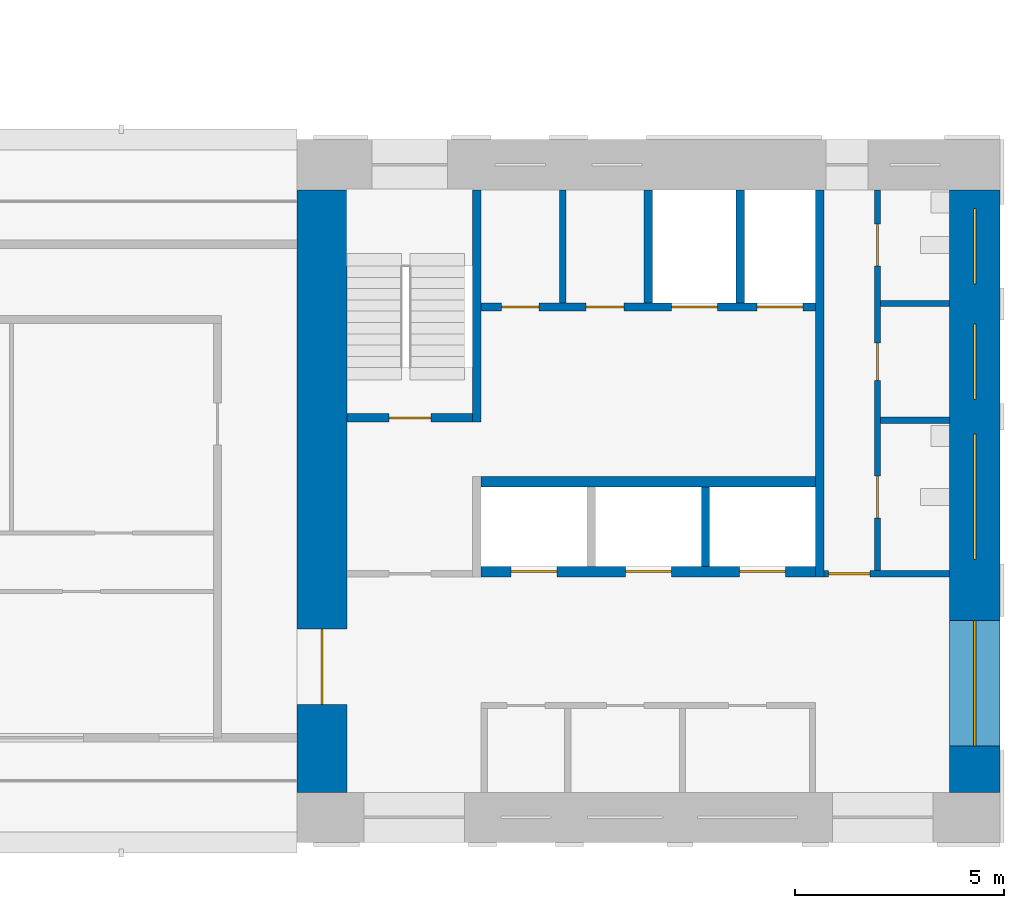
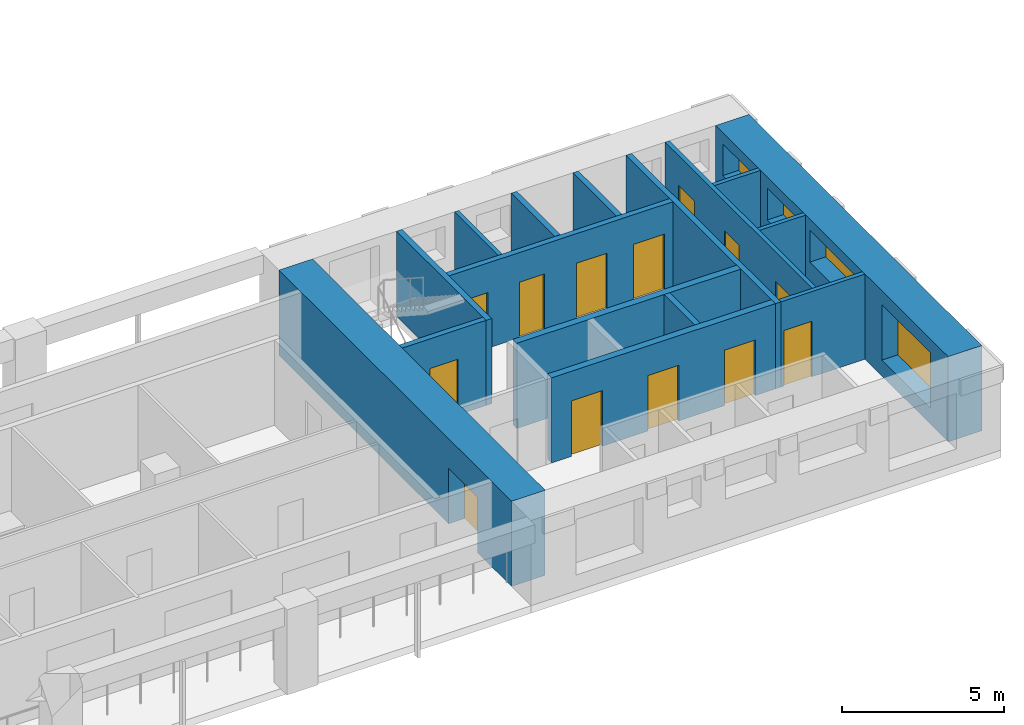
# One storey, part 4 of 9: 16 walls, 13 doors, 4 windows, 17 openings.
"""IFC4 building model written with IfcOpenShell, lengths in metres."""

from ifc_helpers import new_model, si_unit, direction, frame, frame_2d, origin, place, context, subcontext, project, spatial, rectangle, extrude, material, layer, layer_set, type_object, element, fill, save


model = new_model("IFC4")

# Units and contexts
model_context = context("Model", 3, precision=1e-05, world=origin(), true_north=direction((0.0, 1.0)))
body_context = subcontext(model_context, "Body", "Model", "MODEL_VIEW")
ifc_project = project(units=[si_unit("LENGTHUNIT", "METRE"), si_unit("AREAUNIT", "SQUARE_METRE"), si_unit("VOLUMEUNIT", "CUBIC_METRE"), si_unit("PLANEANGLEUNIT", "RADIAN"), si_unit("MASSUNIT", "GRAM", prefix="KILO")], contexts=[model_context])

# Site, building, storey
site_placement = place(None, origin())
site = spatial("IfcSite", under=ifc_project, at=site_placement, CompositionType="ELEMENT")
building_placement = place(site_placement, origin())
building = spatial("IfcBuilding", under=site, at=building_placement, Name="Vermilion Gate Residences", CompositionType="ELEMENT")
storey_placement = place(building_placement, frame((0.0, 0.0, 228.199951171875)))
storey = spatial("IfcBuildingStorey", under=building, at=storey_placement, Name="L59", CompositionType="ELEMENT", Elevation=228.199951171875)

# Wall
ifc_material_1 = material(Name="Masonry blockwork", Category="masonry")
ifc_layer_1 = layer(ifc_material_1, 0.14990234375)
ifc_layer_set_1 = layer_set([ifc_layer_1], Name="BLOCKWORK PARTITION 150 EI 120")
wall_type_1 = type_object("IfcWallType", Name="BLOCKWORK PARTITION 150 EI 120", PredefinedType="PARTITIONING", material=ifc_layer_set_1)
wall_1_placement = place(storey_placement, frame((48.35009765625, 21.300048828125, 0.0), z_axis=(0.0, 0.0, 1.0), x_axis=(0.0, 1.0, 0.0)))
element("IfcWall", 1, at=wall_1_placement, inside=storey, type_object=wall_type_1, Name="Core room partition A59-NR-P0", PredefinedType="PARTITIONING", context=body_context, shape_type="SweptSolid", body=[
    extrude(rectangle(XDim=2.699951171875, YDim=0.14990234375, at=frame_2d((1.35009765625, 0.0))), origin(), (0.0, 0.0, 1.0), 3.219970703125),
])

# Wall, opening, door
wall_2_placement = place(storey_placement, frame((54.60009765625, 14.824951171875, 0.0), z_axis=(0.0, 0.0, 1.0), x_axis=(1.0, 0.0, 0.0)))
wall_2 = element("IfcWall", 2, at=wall_2_placement, inside=storey, type_object=wall_type_1, Name="Core room partition A59-ES-S", PredefinedType="PARTITIONING", context=body_context, shape_type="SweptSolid", body=[
    extrude(rectangle(XDim=3.0, YDim=0.14990234375, at=frame_2d((1.5, 0.0))), origin(), (0.0, 0.0, 1.0), 3.219970703125),
])
opening_1_placement = place(wall_2_placement, frame((0.10009765625, 0.0, 0.0)))
opening_1 = element("IfcOpeningElement", 3, at=opening_1_placement, cuts=wall_2, Name="Opening DK59014", PredefinedType="OPENING", context=body_context, shape_type="SweptSolid", body=[
    extrude(rectangle(XDim=1.0, YDim=2.10009765625, at=frame_2d((0.5, 1.050048828125))), frame((0.0, 0.0849609375, 0.0), z_axis=(0.0, -1.0, 0.0), x_axis=(1.0, 0.0, 0.0)), (0.0, 0.0, 1.0), 0.169921875),
])
ifc_material_2 = material(Name="Steel", Category="steel")
door_type_1 = type_object("IfcDoorType", Name="FIRE DOOR FD60 1000 X 2100", OperationType="SINGLE_SWING_LEFT", PredefinedType="DOOR", material=ifc_material_2)
door_1_placement = place(opening_1_placement, frame((1.0, 0.0, 0.0), z_axis=(0.0, 0.0, 1.0), x_axis=(-1.0, 0.0, 0.0)))
door_1 = element("IfcDoor", 4, at=door_1_placement, inside=storey, type_object=door_type_1, Name="Service corridor door A59", OperationType="SINGLE_SWING_LEFT", OverallHeight=2.10009765625, OverallWidth=1.0, PredefinedType="DOOR", context=body_context, shape_type="SweptSolid", body=[
    extrude(rectangle(XDim=1.0, YDim=2.10009765625, at=frame_2d((0.5, 1.050048828125))), frame((0.0, 0.02490234375, 0.0), z_axis=(0.0, -1.0, 0.0), x_axis=(1.0, 0.0, 0.0)), (0.0, 0.0, 1.0), 0.050048828125),
])
fill(opening_1, door_1)

# Walls
for number, where, z_axis, x_axis, name in (
    (5, (55.949951171875, 18.4951171875, 0.0), (0.0, 0.0, 1.0), (1.0, 0.0, 0.0), "Core room partition A59-ES-P0"),
    (6, (55.949951171875, 21.284912109375, 0.0), (0.0, 0.0, 1.0), (1.0, 0.0, 0.0), "Core room partition A59-ES-P1"),
):
    element("IfcWall", number, at=place(storey_placement, frame(where, z_axis=z_axis, x_axis=x_axis)), inside=storey, type_object=wall_type_1, Name=name, PredefinedType="PARTITIONING", context=body_context, shape_type="SweptSolid", body=[
        extrude(rectangle(XDim=1.650146484375, YDim=0.14990234375, at=frame_2d((0.8251953125, 0.0))), origin(), (0.0, 0.0, 1.0), 3.219970703125),
    ])

# Wall, openings, doors
wall_3_placement = place(storey_placement, frame((55.875, 14.89990234375, 0.0), z_axis=(0.0, 0.0, 1.0), x_axis=(0.0, 1.0, 0.0)))
wall_3 = element("IfcWall", 7, at=wall_3_placement, inside=storey, type_object=wall_type_1, Name="Core room partition A59-ES-W", PredefinedType="PARTITIONING", context=body_context, shape_type="SweptSolid", body=[
    extrude(rectangle(XDim=9.10009765625, YDim=0.14990234375, at=frame_2d((4.550048828125, 0.0))), origin(), (0.0, 0.0, 1.0), 3.219970703125),
])
opening_2_placement = place(wall_3_placement, frame((1.260009765625, 0.0, 0.0)))
opening_2 = element("IfcOpeningElement", 8, at=opening_2_placement, cuts=wall_3, Name="Opening DK59015", PredefinedType="OPENING", context=body_context, shape_type="SweptSolid", body=[
    extrude(rectangle(XDim=1.0, YDim=2.10009765625, at=frame_2d((0.5, 1.050048828125))), frame((0.0, 0.0849609375, 0.0), z_axis=(0.0, -1.0, 0.0), x_axis=(1.0, 0.0, 0.0)), (0.0, 0.0, 1.0), 0.169921875),
])
opening_3_placement = place(wall_3_placement, frame((4.5400390625, 0.0, 0.0)))
opening_3 = element("IfcOpeningElement", 9, at=opening_3_placement, cuts=wall_3, Name="Opening DK59016", PredefinedType="OPENING", context=body_context, shape_type="SweptSolid", body=[
    extrude(rectangle(XDim=0.89990234375, YDim=2.10009765625, at=frame_2d((0.449951171875, 1.050048828125))), frame((0.0, 0.0849609375, 0.0), z_axis=(0.0, -1.0, 0.0), x_axis=(1.0, 0.0, 0.0)), (0.0, 0.0, 1.0), 0.169921875),
])
opening_4_placement = place(wall_3_placement, frame((7.280029296875, 0.0, 0.0)))
opening_4 = element("IfcOpeningElement", 10, at=opening_4_placement, cuts=wall_3, Name="Opening DK59017", PredefinedType="OPENING", context=body_context, shape_type="SweptSolid", body=[
    extrude(rectangle(XDim=1.0, YDim=2.10009765625, at=frame_2d((0.5, 1.050048828125))), frame((0.0, 0.0849609375, 0.0), z_axis=(0.0, -1.0, 0.0), x_axis=(1.0, 0.0, 0.0)), (0.0, 0.0, 1.0), 0.169921875),
])
door_2_placement = place(opening_2_placement, frame((1.0, 0.0, 0.0), z_axis=(0.0, 0.0, 1.0), x_axis=(-1.0, 0.0, 0.0)))
door_2 = element("IfcDoor", 11, at=door_2_placement, inside=storey, type_object=door_type_1, Name="Accessible WC A59", OperationType="SINGLE_SWING_RIGHT", OverallHeight=2.10009765625, OverallWidth=1.0, PredefinedType="DOOR", context=body_context, shape_type="SweptSolid", body=[
    extrude(rectangle(XDim=1.0, YDim=2.10009765625, at=frame_2d((0.5, 1.050048828125))), frame((0.0, 0.02490234375, 0.0), z_axis=(0.0, -1.0, 0.0), x_axis=(1.0, 0.0, 0.0)), (0.0, 0.0, 1.0), 0.050048828125),
])
fill(opening_2, door_2)
door_3_placement = place(opening_4_placement, frame((1.0, 0.0, 0.0), z_axis=(0.0, 0.0, 1.0), x_axis=(-1.0, 0.0, 0.0)))
door_3 = element("IfcDoor", 12, at=door_3_placement, inside=storey, type_object=door_type_1, Name="Accessible WC A59", OperationType="SINGLE_SWING_RIGHT", OverallHeight=2.10009765625, OverallWidth=1.0, PredefinedType="DOOR", context=body_context, shape_type="SweptSolid", body=[
    extrude(rectangle(XDim=1.0, YDim=2.10009765625, at=frame_2d((0.5, 1.050048828125))), frame((0.0, 0.02490234375, 0.0), z_axis=(0.0, -1.0, 0.0), x_axis=(1.0, 0.0, 0.0)), (0.0, 0.0, 1.0), 0.050048828125),
])
fill(opening_4, door_3)
ifc_material_3 = material(Name="Steel", Category="steel")
door_type_2 = type_object("IfcDoorType", Name="SERVICE ROOM DOOR FD60 900 X 2100", OperationType="SINGLE_SWING_LEFT", PredefinedType="DOOR", material=ifc_material_3)
door_4_placement = place(opening_3_placement, frame((0.89990234375, 0.0, 0.0), z_axis=(0.0, 0.0, 1.0), x_axis=(-1.0, 0.0, 0.0)))
door_4 = element("IfcDoor", 13, at=door_4_placement, inside=storey, type_object=door_type_2, Name="Communications room A59", OperationType="SINGLE_SWING_RIGHT", OverallHeight=2.10009765625, OverallWidth=0.89990234375, PredefinedType="DOOR", context=body_context, shape_type="SweptSolid", body=[
    extrude(rectangle(XDim=0.89990234375, YDim=2.10009765625, at=frame_2d((0.449951171875, 1.050048828125))), frame((0.0, 0.02490234375, 0.0), z_axis=(0.0, -1.0, 0.0), x_axis=(1.0, 0.0, 0.0)), (0.0, 0.0, 1.0), 0.050048828125),
])
fill(opening_3, door_4)

# Walls
ifc_material_4 = material(Name="Concrete C60", Category="concrete")
ifc_layer_2 = layer(ifc_material_4, 0.199951171875)
ifc_layer_set_2 = layer_set([ifc_layer_2], Name="RC CORE INTERNAL WALL 200 C60")
wall_type_2 = type_object("IfcWallType", Name="RC CORE INTERNAL WALL 200 C60", PredefinedType="SHEAR", material=ifc_layer_set_2)
wall_4_placement = place(storey_placement, frame((51.7666015625, 15.0, 0.0), z_axis=(0.0, 0.0, 1.0), x_axis=(0.0, 1.0, 0.0)))
element("IfcWall", 14, at=wall_4_placement, inside=storey, type_object=wall_type_2, Name="Core internal wall A59-HR-D2", PredefinedType="SHEAR", context=body_context, shape_type="SweptSolid", body=[
    extrude(rectangle(XDim=1.89990234375, YDim=0.199951171875, at=frame_2d((0.949951171875, 0.0))), origin(), (0.0, 0.0, 1.0), 3.219970703125),
])
for number, where, z_axis, x_axis, name in (
    (15, (50.39990234375, 21.300048828125, 0.0), (0.0, 0.0, 1.0), (0.0, 1.0, 0.0), "Core internal wall A59-FF-D0"),
    (16, (52.60009765625, 21.300048828125, 0.0), (0.0, 0.0, 1.0), (0.0, 1.0, 0.0), "Core internal wall A59-FF-D1"),
):
    element("IfcWall", number, at=place(storey_placement, frame(where, z_axis=z_axis, x_axis=x_axis)), inside=storey, type_object=wall_type_2, Name=name, PredefinedType="SHEAR", context=body_context, shape_type="SweptSolid", body=[
        extrude(rectangle(XDim=2.699951171875, YDim=0.199951171875, at=frame_2d((1.35009765625, 0.0))), origin(), (0.0, 0.0, 1.0), 3.219970703125),
    ])

# Wall, openings, doors
wall_5_placement = place(storey_placement, frame((46.39990234375, 21.199951171875, 0.0), z_axis=(0.0, 0.0, 1.0), x_axis=(1.0, 0.0, 0.0)))
wall_5 = element("IfcWall", 17, at=wall_5_placement, inside=storey, type_object=wall_type_2, Name="Core internal wall A59-FF-F", PredefinedType="SHEAR", context=body_context, shape_type="SweptSolid", body=[
    extrude(rectangle(XDim=8.0, YDim=0.199951171875, at=frame_2d((4.0, 0.0))), origin(), (0.0, 0.0, 1.0), 3.219970703125),
])
opening_5_placement = place(wall_5_placement, frame((0.487548828125, 0.0, 0.0)))
opening_5 = element("IfcOpeningElement", 18, at=opening_5_placement, cuts=wall_5, Name="Opening DK59008", PredefinedType="OPENING", context=body_context, shape_type="SweptSolid", body=[
    extrude(rectangle(XDim=0.89990234375, YDim=2.10009765625, at=frame_2d((0.449951171875, 1.050048828125))), frame((0.0, 0.10986328125, 0.0), z_axis=(0.0, -1.0, 0.0), x_axis=(1.0, 0.0, 0.0)), (0.0, 0.0, 1.0), 0.219970703125),
])
opening_6_placement = place(wall_5_placement, frame((2.512451171875, 0.0, 0.0)))
opening_6 = element("IfcOpeningElement", 19, at=opening_6_placement, cuts=wall_5, Name="Opening DK59009", PredefinedType="OPENING", context=body_context, shape_type="SweptSolid", body=[
    extrude(rectangle(XDim=0.89990234375, YDim=2.10009765625, at=frame_2d((0.449951171875, 1.050048828125))), frame((0.0, 0.10986328125, 0.0), z_axis=(0.0, -1.0, 0.0), x_axis=(1.0, 0.0, 0.0)), (0.0, 0.0, 1.0), 0.219970703125),
])
opening_7_placement = place(wall_5_placement, frame((4.550048828125, 0.0, 0.0)))
opening_7 = element("IfcOpeningElement", 20, at=opening_7_placement, cuts=wall_5, Name="Opening LD", PredefinedType="OPENING", context=body_context, shape_type="SweptSolid", body=[
    extrude(rectangle(XDim=1.10009765625, YDim=2.10009765625, at=frame_2d((0.550048828125, 1.050048828125))), frame((0.0, 0.10986328125, 0.0), z_axis=(0.0, -1.0, 0.0), x_axis=(1.0, 0.0, 0.0)), (0.0, 0.0, 1.0), 0.219970703125),
])
opening_8_placement = place(wall_5_placement, frame((6.60009765625, 0.0, 0.0)))
opening_8 = element("IfcOpeningElement", 21, at=opening_8_placement, cuts=wall_5, Name="Opening LD", PredefinedType="OPENING", context=body_context, shape_type="SweptSolid", body=[
    extrude(rectangle(XDim=1.10009765625, YDim=2.10009765625, at=frame_2d((0.550048828125, 1.050048828125))), frame((0.0, 0.10986328125, 0.0), z_axis=(0.0, -1.0, 0.0), x_axis=(1.0, 0.0, 0.0)), (0.0, 0.0, 1.0), 0.219970703125),
])
ifc_material_5 = material(Name="Stainless steel", Category="steel")
door_type_3 = type_object("IfcDoorType", Name="LIFT LANDING DOOR E60 1100 X 2100", OperationType="DOUBLE_DOOR_SLIDING", PredefinedType="DOOR", material=ifc_material_5)
door_5_placement = place(opening_7_placement, origin())
door_5 = element("IfcDoor", 22, at=door_5_placement, inside=storey, type_object=door_type_3, Name="Lift landing door LFA1", OperationType="DOUBLE_DOOR_SLIDING", OverallHeight=2.10009765625, OverallWidth=1.10009765625, PredefinedType="DOOR", context=body_context, shape_type="SweptSolid", body=[
    extrude(rectangle(XDim=1.10009765625, YDim=2.10009765625, at=frame_2d((0.550048828125, 1.050048828125))), frame((0.0, 0.02490234375, 0.0), z_axis=(0.0, -1.0, 0.0), x_axis=(1.0, 0.0, 0.0)), (0.0, 0.0, 1.0), 0.050048828125),
])
fill(opening_7, door_5)
door_6_placement = place(opening_8_placement, origin())
door_6 = element("IfcDoor", 23, at=door_6_placement, inside=storey, type_object=door_type_3, Name="Lift landing door LCA1", OperationType="DOUBLE_DOOR_SLIDING", OverallHeight=2.10009765625, OverallWidth=1.10009765625, PredefinedType="DOOR", context=body_context, shape_type="SweptSolid", body=[
    extrude(rectangle(XDim=1.10009765625, YDim=2.10009765625, at=frame_2d((0.550048828125, 1.050048828125))), frame((0.0, 0.02490234375, 0.0), z_axis=(0.0, -1.0, 0.0), x_axis=(1.0, 0.0, 0.0)), (0.0, 0.0, 1.0), 0.050048828125),
])
fill(opening_8, door_6)
door_7_placement = place(opening_5_placement, origin())
door_7 = element("IfcDoor", 24, at=door_7_placement, inside=storey, type_object=door_type_2, Name="Housekeeping store A59", OperationType="SINGLE_SWING_LEFT", OverallHeight=2.10009765625, OverallWidth=0.89990234375, PredefinedType="DOOR", context=body_context, shape_type="SweptSolid", body=[
    extrude(rectangle(XDim=0.89990234375, YDim=2.10009765625, at=frame_2d((0.449951171875, 1.050048828125))), frame((0.0, 0.02490234375, 0.0), z_axis=(0.0, -1.0, 0.0), x_axis=(1.0, 0.0, 0.0)), (0.0, 0.0, 1.0), 0.050048828125),
])
fill(opening_5, door_7)
door_8_placement = place(opening_6_placement, origin())
door_8 = element("IfcDoor", 25, at=door_8_placement, inside=storey, type_object=door_type_2, Name="Mail room A59", OperationType="SINGLE_SWING_LEFT", OverallHeight=2.10009765625, OverallWidth=0.89990234375, PredefinedType="DOOR", context=body_context, shape_type="SweptSolid", body=[
    extrude(rectangle(XDim=0.89990234375, YDim=2.10009765625, at=frame_2d((0.449951171875, 1.050048828125))), frame((0.0, 0.02490234375, 0.0), z_axis=(0.0, -1.0, 0.0), x_axis=(1.0, 0.0, 0.0)), (0.0, 0.0, 1.0), 0.050048828125),
])
fill(opening_6, door_8)

# Wall
wall_6_placement = place(storey_placement, frame((46.300048828125, 18.449951171875, 0.0), z_axis=(0.0, 0.0, 1.0), x_axis=(0.0, 1.0, 0.0)))
element("IfcWall", 26, at=wall_6_placement, inside=storey, type_object=wall_type_2, Name="Core internal wall A59-WDIV2", PredefinedType="SHEAR", context=body_context, shape_type="SweptSolid", body=[
    extrude(rectangle(XDim=5.550048828125, YDim=0.199951171875, at=frame_2d((2.77490234375, 0.0))), origin(), (0.0, 0.0, 1.0), 3.219970703125),
])

# Wall, opening, door
wall_7_placement = place(storey_placement, frame((43.199951171875, 18.550048828125, 0.0), z_axis=(0.0, 0.0, 1.0), x_axis=(1.0, 0.0, 0.0)))
wall_7 = element("IfcWall", 27, at=wall_7_placement, inside=storey, type_object=wall_type_2, Name="Core internal wall A59-STW-S", PredefinedType="SHEAR", context=body_context, shape_type="SweptSolid", body=[
    extrude(rectangle(XDim=3.0, YDim=0.199951171875, at=frame_2d((1.5, 0.0))), origin(), (0.0, 0.0, 1.0), 3.219970703125),
])
opening_9_placement = place(wall_7_placement, frame((1.0, 0.0, 0.0)))
opening_9 = element("IfcOpeningElement", 28, at=opening_9_placement, cuts=wall_7, Name="Opening DK59013", PredefinedType="OPENING", context=body_context, shape_type="SweptSolid", body=[
    extrude(rectangle(XDim=1.0, YDim=2.10009765625, at=frame_2d((0.5, 1.050048828125))), frame((0.0, 0.10986328125, 0.0), z_axis=(0.0, -1.0, 0.0), x_axis=(1.0, 0.0, 0.0)), (0.0, 0.0, 1.0), 0.219970703125),
])
door_9_placement = place(opening_9_placement, origin())
door_9 = element("IfcDoor", 29, at=door_9_placement, inside=storey, type_object=door_type_1, Name="Stair door A59", OperationType="SINGLE_SWING_LEFT", OverallHeight=2.10009765625, OverallWidth=1.0, PredefinedType="DOOR", context=body_context, shape_type="SweptSolid", body=[
    extrude(rectangle(XDim=1.0, YDim=2.10009765625, at=frame_2d((0.5, 1.050048828125))), frame((0.0, 0.02490234375, 0.0), z_axis=(0.0, -1.0, 0.0), x_axis=(1.0, 0.0, 0.0)), (0.0, 0.0, 1.0), 0.050048828125),
])
fill(opening_9, door_9)

# Wall
wall_8_placement = place(storey_placement, frame((54.5, 14.75, 0.0), z_axis=(0.0, 0.0, 1.0), x_axis=(0.0, 1.0, 0.0)))
element("IfcWall", 30, at=wall_8_placement, inside=storey, type_object=wall_type_2, Name="Core internal wall A59-EDIV", PredefinedType="SHEAR", context=body_context, shape_type="SweptSolid", body=[
    extrude(rectangle(XDim=9.25, YDim=0.199951171875, at=frame_2d((4.625, 0.0))), origin(), (0.0, 0.0, 1.0), 3.219970703125),
])

# Wall, opening, door
ifc_material_6 = material(Name="Concrete C50", Category="concrete")
ifc_layer_3 = layer(ifc_material_6, 1.199951171875)
ifc_layer_set_3 = layer_set([ifc_layer_3], Name="RC CORE WALL 1200 C50")
wall_type_3 = type_object("IfcWallType", Name="RC CORE WALL 1200 C50", PredefinedType="SHEAR", material=ifc_layer_set_3)
wall_9_placement = place(storey_placement, frame((42.60009765625, 9.60009765625, 0.0), z_axis=(0.0, 0.0, 1.0), x_axis=(0.0, 1.0, 0.0)))
wall_9 = element("IfcWall", 31, at=wall_9_placement, inside=storey, type_object=wall_type_3, Name="Core wall A59-OUT-FR", PredefinedType="SHEAR", context=body_context, shape_type="SweptSolid", body=[
    extrude(rectangle(XDim=14.39990234375, YDim=1.199951171875, at=frame_2d((7.199951171875, 0.0))), origin(), (0.0, 0.0, 1.0), 3.219970703125),
])
opening_10_placement = place(wall_9_placement, frame((2.10009765625, 0.0, 0.0)))
opening_10 = element("IfcOpeningElement", 32, at=opening_10_placement, cuts=wall_9, Name="Opening DK59001", PredefinedType="OPENING", context=body_context, shape_type="SweptSolid", body=[
    extrude(rectangle(XDim=1.800048828125, YDim=2.10009765625, at=frame_2d((0.89990234375, 1.050048828125))), frame((0.0, 0.60986328125, 0.0), z_axis=(0.0, -1.0, 0.0), x_axis=(1.0, 0.0, 0.0)), (0.0, 0.0, 1.0), 1.219970703125),
])
ifc_material_7 = material(Name="Steel", Category="steel")
door_type_4 = type_object("IfcDoorType", Name="CORE LOBBY DOOR FD60 1800 X 2100", OperationType="DOUBLE_DOOR_SINGLE_SWING", PredefinedType="DOOR", material=ifc_material_7)
door_10_placement = place(opening_10_placement, frame((1.800048828125, 0.0, 0.0), z_axis=(0.0, 0.0, 1.0), x_axis=(-1.0, 0.0, 0.0)))
door_10 = element("IfcDoor", 33, at=door_10_placement, inside=storey, type_object=door_type_4, Name="Core lobby door A59", OperationType="DOUBLE_DOOR_SINGLE_SWING", OverallHeight=2.10009765625, OverallWidth=1.800048828125, PredefinedType="DOOR", context=body_context, shape_type="SweptSolid", body=[
    extrude(rectangle(XDim=1.800048828125, YDim=2.10009765625, at=frame_2d((0.89990234375, 1.050048828125))), frame((0.0, 0.02490234375, 0.0), z_axis=(0.0, -1.0, 0.0), x_axis=(1.0, 0.0, 0.0)), (0.0, 0.0, 1.0), 0.050048828125),
])
fill(opening_10, door_10)

# Wall, openings, windows
ifc_material_8 = material(Name="Concrete C50 red-oxide pigmented", Category="concrete")
ifc_layer_4 = layer(ifc_material_8, 1.199951171875)
ifc_layer_set_4 = layer_set([ifc_layer_4], Name="RC CORE WALL 1200 C50 RED OXIDE")
wall_type_4 = type_object("IfcWallType", Name="RC CORE WALL 1200 C50 RED OXIDE", PredefinedType="SHEAR", material=ifc_layer_set_4)
wall_10_placement = place(storey_placement, frame((58.199951171875, 9.60009765625, 0.0), z_axis=(0.0, 0.0, 1.0), x_axis=(0.0, 1.0, 0.0)))
wall_10 = element("IfcWall", 34, at=wall_10_placement, inside=storey, type_object=wall_type_4, Name="Core wall A59-OUT-BK", PredefinedType="SHEAR", context=body_context, shape_type="SweptSolid", body=[
    extrude(rectangle(XDim=14.39990234375, YDim=1.199951171875, at=frame_2d((7.199951171875, 0.0))), origin(), (0.0, 0.0, 1.0), 3.219970703125),
])
opening_11_placement = place(wall_10_placement, frame((1.10498046875, 0.0, 0.60009765625)))
opening_11 = element("IfcOpeningElement", 35, at=opening_11_placement, cuts=wall_10, Name="Opening WKA5911", PredefinedType="OPENING", context=body_context, shape_type="SweptSolid", body=[
    extrude(rectangle(XDim=3.0, YDim=2.10009765625, at=frame_2d((1.5, 1.050048828125))), frame((0.0, 0.60986328125, 0.0), z_axis=(0.0, -1.0, 0.0), x_axis=(1.0, 0.0, 0.0)), (0.0, 0.0, 1.0), 1.219970703125),
])
opening_12_placement = place(wall_10_placement, frame((5.56005859375, 0.0, 1.60009765625)))
opening_12 = element("IfcOpeningElement", 36, at=opening_12_placement, cuts=wall_10, Name="Opening WKA5912", PredefinedType="OPENING", context=body_context, shape_type="SweptSolid", body=[
    extrude(rectangle(XDim=3.0, YDim=1.199951171875, at=frame_2d((1.5, 0.60009765625))), frame((0.0, 0.60986328125, 0.0), z_axis=(0.0, -1.0, 0.0), x_axis=(1.0, 0.0, 0.0)), (0.0, 0.0, 1.0), 1.219970703125),
])
opening_13_placement = place(wall_10_placement, frame((9.389892578125, 0.0, 1.60009765625)))
opening_13 = element("IfcOpeningElement", 37, at=opening_13_placement, cuts=wall_10, Name="Opening WKA5913", PredefinedType="OPENING", context=body_context, shape_type="SweptSolid", body=[
    extrude(rectangle(XDim=1.800048828125, YDim=1.199951171875, at=frame_2d((0.89990234375, 0.60009765625))), frame((0.0, 0.60986328125, 0.0), z_axis=(0.0, -1.0, 0.0), x_axis=(1.0, 0.0, 0.0)), (0.0, 0.0, 1.0), 1.219970703125),
])
opening_14_placement = place(wall_10_placement, frame((12.14990234375, 0.0, 1.60009765625)))
opening_14 = element("IfcOpeningElement", 38, at=opening_14_placement, cuts=wall_10, Name="Opening WKA5914", PredefinedType="OPENING", context=body_context, shape_type="SweptSolid", body=[
    extrude(rectangle(XDim=1.800048828125, YDim=1.199951171875, at=frame_2d((0.89990234375, 0.60009765625))), frame((0.0, 0.60986328125, 0.0), z_axis=(0.0, -1.0, 0.0), x_axis=(1.0, 0.0, 0.0)), (0.0, 0.0, 1.0), 1.219970703125),
])
ifc_material_9 = material(Name="Aluminium and clear glass", Category="aluminium")
window_type_1 = type_object("IfcWindowType", Name="CORE LOBBY WINDOW 3000 X 2100", PartitioningType="SINGLE_PANEL", PredefinedType="WINDOW", material=ifc_material_9)
window_1_placement = place(opening_11_placement, origin())
window_1 = element("IfcWindow", 39, at=window_1_placement, inside=storey, type_object=window_type_1, Name="Core lobby window", OverallHeight=2.10009765625, OverallWidth=3.0, PartitioningType="SINGLE_PANEL", PredefinedType="WINDOW", context=body_context, shape_type="SweptSolid", body=[
    extrude(rectangle(XDim=3.0, YDim=2.10009765625, at=frame_2d((1.5, 1.050048828125))), frame((0.0, 0.030029296875, 0.0), z_axis=(0.0, -1.0, 0.0), x_axis=(1.0, 0.0, 0.0)), (0.0, 0.0, 1.0), 0.06005859375),
])
fill(opening_11, window_1)
ifc_material_10 = material(Name="Aluminium frame with louvre blades", Category="aluminium")
window_type_2 = type_object("IfcWindowType", Name="CORE LOUVRE 1800 X 1200", PartitioningType="SINGLE_PANEL", PredefinedType="WINDOW", material=ifc_material_10)
window_2_placement = place(opening_13_placement, origin())
window_2 = element("IfcWindow", 40, at=window_2_placement, inside=storey, type_object=window_type_2, Name="Core louvre", OverallHeight=1.199951171875, OverallWidth=1.800048828125, PartitioningType="SINGLE_PANEL", PredefinedType="WINDOW", context=body_context, shape_type="SweptSolid", body=[
    extrude(rectangle(XDim=1.800048828125, YDim=1.199951171875, at=frame_2d((0.89990234375, 0.60009765625))), frame((0.0, 0.030029296875, 0.0), z_axis=(0.0, -1.0, 0.0), x_axis=(1.0, 0.0, 0.0)), (0.0, 0.0, 1.0), 0.06005859375),
])
fill(opening_13, window_2)
window_3_placement = place(opening_14_placement, origin())
window_3 = element("IfcWindow", 41, at=window_3_placement, inside=storey, type_object=window_type_2, Name="Core louvre", OverallHeight=1.199951171875, OverallWidth=1.800048828125, PartitioningType="SINGLE_PANEL", PredefinedType="WINDOW", context=body_context, shape_type="SweptSolid", body=[
    extrude(rectangle(XDim=1.800048828125, YDim=1.199951171875, at=frame_2d((0.89990234375, 0.60009765625))), frame((0.0, 0.030029296875, 0.0), z_axis=(0.0, -1.0, 0.0), x_axis=(1.0, 0.0, 0.0)), (0.0, 0.0, 1.0), 0.06005859375),
])
fill(opening_14, window_3)
ifc_material_11 = material(Name="Aluminium frame with louvre blades", Category="aluminium")
window_type_3 = type_object("IfcWindowType", Name="CORE LOUVRE 3000 X 1200", PartitioningType="SINGLE_PANEL", PredefinedType="WINDOW", material=ifc_material_11)
window_4_placement = place(opening_12_placement, origin())
window_4 = element("IfcWindow", 42, at=window_4_placement, inside=storey, type_object=window_type_3, Name="Core louvre", OverallHeight=1.199951171875, OverallWidth=3.0, PartitioningType="SINGLE_PANEL", PredefinedType="WINDOW", context=body_context, shape_type="SweptSolid", body=[
    extrude(rectangle(XDim=3.0, YDim=1.199951171875, at=frame_2d((1.5, 0.60009765625))), frame((0.0, 0.030029296875, 0.0), z_axis=(0.0, -1.0, 0.0), x_axis=(1.0, 0.0, 0.0)), (0.0, 0.0, 1.0), 0.06005859375),
])
fill(opening_12, window_4)

# Wall, openings, doors
ifc_material_12 = material(Name="Concrete C60", Category="concrete")
ifc_layer_5 = layer(ifc_material_12, 0.25)
ifc_layer_set_5 = layer_set([ifc_layer_5], Name="RC LIFT SHAFT WALL 250 C60")
wall_type_5 = type_object("IfcWallType", Name="RC LIFT SHAFT WALL 250 C60", PredefinedType="SHEAR", material=ifc_layer_set_5)
wall_11_placement = place(storey_placement, frame((46.39990234375, 14.875, 0.0), z_axis=(0.0, 0.0, 1.0), x_axis=(1.0, 0.0, 0.0)))
wall_11 = element("IfcWall", 43, at=wall_11_placement, inside=storey, type_object=wall_type_5, Name="Lift shaft wall A59-HR-F", PredefinedType="SHEAR", context=body_context, shape_type="SweptSolid", body=[
    extrude(rectangle(XDim=8.0, YDim=0.25, at=frame_2d((4.0, 0.0))), origin(), (0.0, 0.0, 1.0), 3.219970703125),
])
opening_15_placement = place(wall_11_placement, frame((0.716552734375, 0.0, 0.0)))
opening_15 = element("IfcOpeningElement", 44, at=opening_15_placement, cuts=wall_11, Name="Opening LD", PredefinedType="OPENING", context=body_context, shape_type="SweptSolid", body=[
    extrude(rectangle(XDim=1.10009765625, YDim=2.10009765625, at=frame_2d((0.550048828125, 1.050048828125))), frame((0.0, 0.135009765625, 0.0), z_axis=(0.0, -1.0, 0.0), x_axis=(1.0, 0.0, 0.0)), (0.0, 0.0, 1.0), 0.27001953125),
])
opening_16_placement = place(wall_11_placement, frame((3.449951171875, 0.0, 0.0)))
opening_16 = element("IfcOpeningElement", 45, at=opening_16_placement, cuts=wall_11, Name="Opening LD", PredefinedType="OPENING", context=body_context, shape_type="SweptSolid", body=[
    extrude(rectangle(XDim=1.10009765625, YDim=2.10009765625, at=frame_2d((0.550048828125, 1.050048828125))), frame((0.0, 0.135009765625, 0.0), z_axis=(0.0, -1.0, 0.0), x_axis=(1.0, 0.0, 0.0)), (0.0, 0.0, 1.0), 0.27001953125),
])
opening_17_placement = place(wall_11_placement, frame((6.183349609375, 0.0, 0.0)))
opening_17 = element("IfcOpeningElement", 46, at=opening_17_placement, cuts=wall_11, Name="Opening LD", PredefinedType="OPENING", context=body_context, shape_type="SweptSolid", body=[
    extrude(rectangle(XDim=1.10009765625, YDim=2.10009765625, at=frame_2d((0.550048828125, 1.050048828125))), frame((0.0, 0.135009765625, 0.0), z_axis=(0.0, -1.0, 0.0), x_axis=(1.0, 0.0, 0.0)), (0.0, 0.0, 1.0), 0.27001953125),
])
door_11_placement = place(opening_15_placement, origin())
door_11 = element("IfcDoor", 47, at=door_11_placement, inside=storey, type_object=door_type_3, Name="Lift landing door HRA1", OperationType="DOUBLE_DOOR_SLIDING", OverallHeight=2.10009765625, OverallWidth=1.10009765625, PredefinedType="DOOR", context=body_context, shape_type="SweptSolid", body=[
    extrude(rectangle(XDim=1.10009765625, YDim=2.10009765625, at=frame_2d((0.550048828125, 1.050048828125))), frame((0.0, 0.02490234375, 0.0), z_axis=(0.0, -1.0, 0.0), x_axis=(1.0, 0.0, 0.0)), (0.0, 0.0, 1.0), 0.050048828125),
])
fill(opening_15, door_11)
door_12_placement = place(opening_16_placement, origin())
door_12 = element("IfcDoor", 48, at=door_12_placement, inside=storey, type_object=door_type_3, Name="Lift landing door HRA2", OperationType="DOUBLE_DOOR_SLIDING", OverallHeight=2.10009765625, OverallWidth=1.10009765625, PredefinedType="DOOR", context=body_context, shape_type="SweptSolid", body=[
    extrude(rectangle(XDim=1.10009765625, YDim=2.10009765625, at=frame_2d((0.550048828125, 1.050048828125))), frame((0.0, 0.02490234375, 0.0), z_axis=(0.0, -1.0, 0.0), x_axis=(1.0, 0.0, 0.0)), (0.0, 0.0, 1.0), 0.050048828125),
])
fill(opening_16, door_12)
door_13_placement = place(opening_17_placement, origin())
door_13 = element("IfcDoor", 49, at=door_13_placement, inside=storey, type_object=door_type_3, Name="Lift landing door HRA3", OperationType="DOUBLE_DOOR_SLIDING", OverallHeight=2.10009765625, OverallWidth=1.10009765625, PredefinedType="DOOR", context=body_context, shape_type="SweptSolid", body=[
    extrude(rectangle(XDim=1.10009765625, YDim=2.10009765625, at=frame_2d((0.550048828125, 1.050048828125))), frame((0.0, 0.02490234375, 0.0), z_axis=(0.0, -1.0, 0.0), x_axis=(1.0, 0.0, 0.0)), (0.0, 0.0, 1.0), 0.050048828125),
])
fill(opening_17, door_13)

# Wall
wall_12_placement = place(storey_placement, frame((46.39990234375, 17.02490234375, 0.0), z_axis=(0.0, 0.0, 1.0), x_axis=(1.0, 0.0, 0.0)))
element("IfcWall", 50, at=wall_12_placement, inside=storey, type_object=wall_type_5, Name="Lift shaft wall A59-HR-B", PredefinedType="SHEAR", context=body_context, shape_type="SweptSolid", body=[
    extrude(rectangle(XDim=8.0, YDim=0.25, at=frame_2d((4.0, 0.0))), origin(), (0.0, 0.0, 1.0), 3.219970703125),
])

save(model, "model.ifc")
